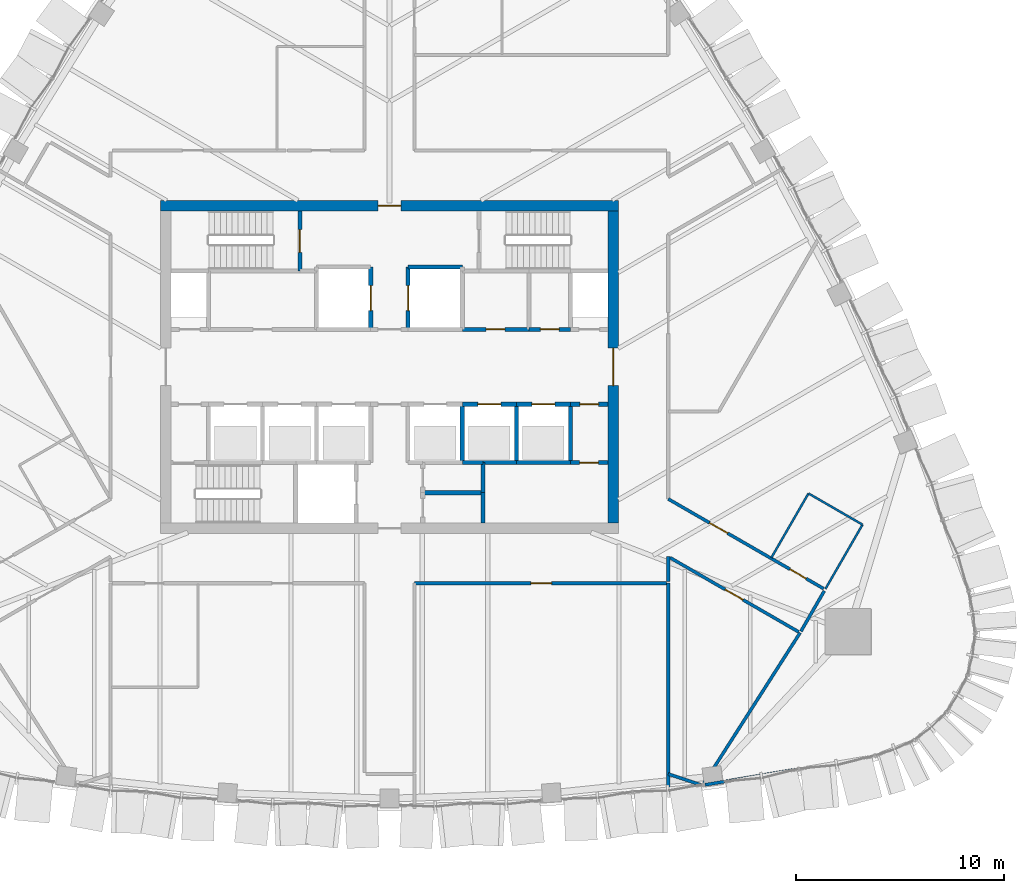
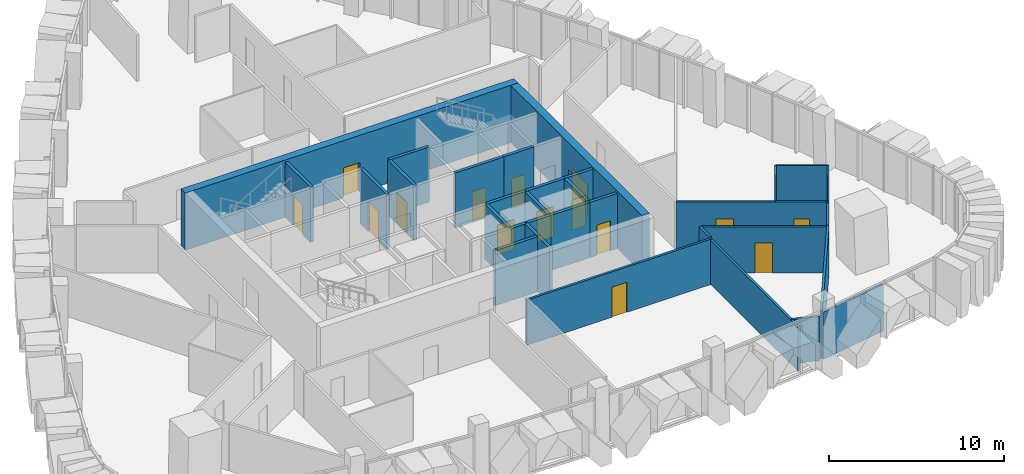
# One storey, part 14 of 20: 33 walls, 15 doors, 15 openings.
"""IFC4 building model written with IfcOpenShell, lengths in metres."""

from ifc_helpers import new_model, si_unit, direction, frame, frame_2d, origin, place, context, subcontext, project, spatial, rectangle, extrude, material, layer, layer_set, type_object, element, fill, save


model = new_model("IFC4")

# Units and contexts
model_context = context("Model", 3, precision=1e-05, world=origin(), true_north=direction((0.0, 1.0)))
body_context = subcontext(model_context, "Body", "Model", "MODEL_VIEW")
ifc_project = project(units=[si_unit("LENGTHUNIT", "METRE"), si_unit("AREAUNIT", "SQUARE_METRE"), si_unit("VOLUMEUNIT", "CUBIC_METRE"), si_unit("PLANEANGLEUNIT", "RADIAN"), si_unit("MASSUNIT", "GRAM", prefix="KILO")], contexts=[model_context])

# Site, building, storey
site_placement = place(None, origin())
site = spatial("IfcSite", under=ifc_project, at=site_placement, CompositionType="ELEMENT")
building_placement = place(site_placement, origin())
building = spatial("IfcBuilding", under=site, at=building_placement, Name="Sierra Prisma Convention Tower", CompositionType="ELEMENT")
storey_placement = place(building_placement, frame((0.0, 0.0, 239.0)))
storey = spatial("IfcBuildingStorey", under=building, at=storey_placement, Name="L53", CompositionType="ELEMENT", Elevation=239.0)

# Walls
ifc_material_1 = material(Name="Gypsum board partition", Category="gypsum")
ifc_layer_1 = layer(ifc_material_1, 0.10009765625)
ifc_layer_set_1 = layer_set([ifc_layer_1], Name="Bathroom partition 100")
wall_type_1 = type_object("IfcWallType", Name="Bathroom partition 100", PredefinedType="PARTITIONING", material=ifc_layer_set_1)
wall_1_placement = place(storey_placement, frame((18.35400390625, -9.176513671875, 0.0), z_axis=(0.0, 0.0, 1.0), x_axis=(0.500022371132, 0.86601248742, 0.0)))
element("IfcWall", 1, at=wall_1_placement, inside=storey, type_object=wall_type_1, Name="Partition L53 bath 9", PredefinedType="PARTITIONING", context=body_context, shape_type="SweptSolid", body=[
    extrude(rectangle(XDim=3.570068359375, YDim=0.10009765625, at=frame_2d((1.78515625, 0.0))), origin(), (0.0, 0.0, 1.0), 3.300048828125),
])
wall_2_placement = place(storey_placement, frame((20.13916015625, -6.084716796875, 0.0), z_axis=(0.0, 0.0, 1.0), x_axis=(0.866010750942, -0.50002537861, 0.0)))
element("IfcWall", 2, at=wall_2_placement, inside=storey, type_object=wall_type_1, Name="Partition L53 bath 10", PredefinedType="PARTITIONING", context=body_context, shape_type="SweptSolid", body=[
    extrude(rectangle(XDim=2.999755859375, YDim=0.10009765625, at=frame_2d((1.5, 0.0))), origin(), (0.0, 0.0, 1.0), 3.300048828125),
])
wall_3_placement = place(storey_placement, frame((22.737060546875, -7.584716796875, 0.0), z_axis=(0.0, 0.0, 1.0), x_axis=(-0.499971082179, -0.866042098853, 0.0)))
element("IfcWall", 3, at=wall_3_placement, inside=storey, type_object=wall_type_1, Name="Partition L53 bath 11", PredefinedType="PARTITIONING", context=body_context, shape_type="SweptSolid", body=[
    extrude(rectangle(XDim=3.570068359375, YDim=0.10009765625, at=frame_2d((1.78515625, 0.0))), origin(), (0.0, 0.0, 1.0), 3.300048828125),
])

# Wall, opening, door
ifc_material_2 = material(Name="Concrete C30/37", Category="concrete")
ifc_layer_2 = layer(ifc_material_2, 0.199951171875)
ifc_layer_set_2 = layer_set([ifc_layer_2], Name="Core wall RC 200 C30/37")
wall_type_2 = type_object("IfcWallType", Name="Core wall RC 200 C30/37", PredefinedType="SOLIDWALL", material=ifc_layer_set_2)
wall_4_placement = place(storey_placement, frame((-4.300048828125, 4.60009765625, 0.0), z_axis=(0.0, 0.0, 1.0), x_axis=(0.0, 1.0, 0.0)))
wall_4 = element("IfcWall", 4, at=wall_4_placement, inside=storey, type_object=wall_type_2, Name="Core wall L53 17", PredefinedType="SOLIDWALL", context=body_context, shape_type="SweptSolid", body=[
    extrude(rectangle(XDim=2.89990234375, YDim=0.199951171875, at=frame_2d((1.449951171875, 0.0))), origin(), (0.0, 0.0, 1.0), 3.85009765625),
])
opening_1_placement = place(wall_4_placement, frame((0.89990234375, 0.0, 0.0)))
opening_1 = element("IfcOpeningElement", 5, at=opening_1_placement, cuts=wall_4, Name="Opening L53-D016", PredefinedType="OPENING", context=body_context, shape_type="SweptSolid", body=[
    extrude(rectangle(XDim=1.10009765625, YDim=2.10009765625, at=frame_2d((0.550048828125, 1.050048828125))), frame((0.0, 0.10009765625, 0.0), z_axis=(0.0, -1.0, 0.0), x_axis=(1.0, 0.0, 0.0)), (0.0, 0.0, 1.0), 0.199951171875),
])
ifc_material_3 = material(Name="Steel fire door leaf", Category="steel")
door_type_1 = type_object("IfcDoorType", Name="Door 1100x2100 FD90S", OperationType="SINGLE_SWING_LEFT", PredefinedType="DOOR", material=ifc_material_3)
door_1_placement = place(opening_1_placement, origin())
door_1 = element("IfcDoor", 6, at=door_1_placement, inside=storey, type_object=door_type_1, Name="Door L53 32", OperationType="SINGLE_SWING_RIGHT", OverallHeight=2.10009765625, OverallWidth=1.10009765625, PredefinedType="DOOR", context=body_context, shape_type="SweptSolid", body=[
    extrude(rectangle(XDim=1.10009765625, YDim=2.10009765625, at=frame_2d((0.550048828125, 1.050048828125))), frame((0.0, 0.02490234375, 0.0), z_axis=(0.0, -1.0, 0.0), x_axis=(1.0, 0.0, 0.0)), (0.0, 0.0, 1.0), 0.050048828125),
])
fill(opening_1, door_1)

wall_5_placement = place(storey_placement, frame((-0.89990234375, 1.800048828125, 0.0), z_axis=(0.0, 0.0, 1.0), x_axis=(0.0, 1.0, 0.0)))
wall_5 = element("IfcWall", 7, at=wall_5_placement, inside=storey, type_object=wall_type_2, Name="Core wall L53 23", PredefinedType="SOLIDWALL", context=body_context, shape_type="SweptSolid", body=[
    extrude(rectangle(XDim=3.0, YDim=0.199951171875, at=frame_2d((1.5, 0.0))), origin(), (0.0, 0.0, 1.0), 3.85009765625),
])
opening_2_placement = place(wall_5_placement, frame((0.89990234375, 0.0, 0.0)))
opening_2 = element("IfcOpeningElement", 8, at=opening_2_placement, cuts=wall_5, Name="Opening L53-D007", PredefinedType="OPENING", context=body_context, shape_type="SweptSolid", body=[
    extrude(rectangle(XDim=1.199951171875, YDim=2.10009765625, at=frame_2d((0.60009765625, 1.050048828125))), frame((0.0, 0.10009765625, 0.0), z_axis=(0.0, -1.0, 0.0), x_axis=(1.0, 0.0, 0.0)), (0.0, 0.0, 1.0), 0.199951171875),
])
ifc_material_4 = material(Name="Steel fire door leaf", Category="steel")
door_type_2 = type_object("IfcDoorType", Name="Door 1200x2100 EI 90 sliding lift landing", OperationType="SLIDING_TO_LEFT", PredefinedType="DOOR", material=ifc_material_4)
door_2_placement = place(opening_2_placement, origin())
door_2 = element("IfcDoor", 9, at=door_2_placement, inside=storey, type_object=door_type_2, Name="Door L53 23", OperationType="SLIDING_TO_RIGHT", OverallHeight=2.10009765625, OverallWidth=1.199951171875, PredefinedType="DOOR", context=body_context, shape_type="SweptSolid", body=[
    extrude(rectangle(XDim=1.199951171875, YDim=2.10009765625, at=frame_2d((0.60009765625, 1.050048828125))), frame((0.0, 0.02490234375, 0.0), z_axis=(0.0, -1.0, 0.0), x_axis=(1.0, 0.0, 0.0)), (0.0, 0.0, 1.0), 0.050048828125),
])
fill(opening_2, door_2)

# Wall
wall_6_placement = place(storey_placement, frame((3.5, 4.800048828125, 0.0), z_axis=(0.0, 0.0, 1.0), x_axis=(-1.0, 0.0, 0.0)))
element("IfcWall", 10, at=wall_6_placement, inside=storey, type_object=wall_type_2, Name="Core wall L53 36", PredefinedType="SOLIDWALL", context=body_context, shape_type="SweptSolid", body=[
    extrude(rectangle(XDim=2.60009765625, YDim=0.199951171875, at=frame_2d((1.300048828125, 0.0))), origin(), (0.0, 0.0, 1.0), 3.85009765625),
])

# Wall, opening, door
wall_7_placement = place(storey_placement, frame((0.89990234375, 4.800048828125, 0.0), z_axis=(0.0, 0.0, 1.0), x_axis=(0.0, -1.0, 0.0)))
wall_7 = element("IfcWall", 11, at=wall_7_placement, inside=storey, type_object=wall_type_2, Name="Core wall L53 37", PredefinedType="SOLIDWALL", context=body_context, shape_type="SweptSolid", body=[
    extrude(rectangle(XDim=3.0, YDim=0.199951171875, at=frame_2d((1.5, 0.0))), origin(), (0.0, 0.0, 1.0), 3.85009765625),
])
opening_3_placement = place(wall_7_placement, frame((0.89990234375, 0.0, 0.0)))
opening_3 = element("IfcOpeningElement", 12, at=opening_3_placement, cuts=wall_7, Name="Opening L53-D008", PredefinedType="OPENING", context=body_context, shape_type="SweptSolid", body=[
    extrude(rectangle(XDim=1.199951171875, YDim=2.10009765625, at=frame_2d((0.60009765625, 1.050048828125))), frame((0.0, 0.10009765625, 0.0), z_axis=(0.0, -1.0, 0.0), x_axis=(1.0, 0.0, 0.0)), (0.0, 0.0, 1.0), 0.199951171875),
])
door_3_placement = place(opening_3_placement, origin())
door_3 = element("IfcDoor", 13, at=door_3_placement, inside=storey, type_object=door_type_2, Name="Door L53 24", OperationType="SLIDING_TO_LEFT", OverallHeight=2.10009765625, OverallWidth=1.199951171875, PredefinedType="DOOR", context=body_context, shape_type="SweptSolid", body=[
    extrude(rectangle(XDim=1.199951171875, YDim=2.10009765625, at=frame_2d((0.60009765625, 1.050048828125))), frame((0.0, 0.02490234375, 0.0), z_axis=(0.0, -1.0, 0.0), x_axis=(1.0, 0.0, 0.0)), (0.0, 0.0, 1.0), 0.050048828125),
])
fill(opening_3, door_3)

# Walls
wall_8_placement = place(storey_placement, frame((4.5, -6.050048828125, 0.0), z_axis=(0.0, 0.0, 1.0), x_axis=(-1.0, 0.0, 0.0)))
element("IfcWall", 14, at=wall_8_placement, inside=storey, type_object=wall_type_2, Name="Core wall L53 39", PredefinedType="SOLIDWALL", context=body_context, shape_type="SweptSolid", body=[
    extrude(rectangle(XDim=2.89990234375, YDim=0.199951171875, at=frame_2d((1.449951171875, 0.0))), origin(), (0.0, 0.0, 1.0), 3.85009765625),
])
wall_9_placement = place(storey_placement, frame((4.5, -4.60009765625, 0.0), z_axis=(0.0, 0.0, 1.0), x_axis=(-1.0, 0.0, 0.0)))
element("IfcWall", 15, at=wall_9_placement, inside=storey, type_object=wall_type_2, Name="Core wall L53 42", PredefinedType="SOLIDWALL", context=body_context, shape_type="SweptSolid", body=[
    extrude(rectangle(XDim=1.0, YDim=0.199951171875, at=frame_2d((0.5, 0.0))), origin(), (0.0, 0.0, 1.0), 3.85009765625),
])
wall_10_placement = place(storey_placement, frame((3.5, -4.60009765625, 0.0), z_axis=(0.0, 0.0, 1.0), x_axis=(0.0, 1.0, 0.0)))
element("IfcWall", 16, at=wall_10_placement, inside=storey, type_object=wall_type_2, Name="Core wall L53 43", PredefinedType="SOLIDWALL", context=body_context, shape_type="SweptSolid", body=[
    extrude(rectangle(XDim=2.800048828125, YDim=0.199951171875, at=frame_2d((1.39990234375, 0.0))), origin(), (0.0, 0.0, 1.0), 3.85009765625),
])

# Wall, opening, door
wall_11_placement = place(storey_placement, frame((3.5, -1.800048828125, 0.0), z_axis=(0.0, 0.0, 1.0), x_axis=(1.0, 0.0, 0.0)))
wall_11 = element("IfcWall", 17, at=wall_11_placement, inside=storey, type_object=wall_type_2, Name="Core wall L53 44", PredefinedType="SOLIDWALL", context=body_context, shape_type="SweptSolid", body=[
    extrude(rectangle(XDim=2.60009765625, YDim=0.199951171875, at=frame_2d((1.300048828125, 0.0))), origin(), (0.0, 0.0, 1.0), 3.85009765625),
])
opening_4_placement = place(wall_11_placement, frame((0.75, 0.0, 0.0)))
opening_4 = element("IfcOpeningElement", 18, at=opening_4_placement, cuts=wall_11, Name="Opening L53-D005", PredefinedType="OPENING", context=body_context, shape_type="SweptSolid", body=[
    extrude(rectangle(XDim=1.10009765625, YDim=2.10009765625, at=frame_2d((0.550048828125, 1.050048828125))), frame((0.0, 0.10009765625, 0.0), z_axis=(0.0, -1.0, 0.0), x_axis=(1.0, 0.0, 0.0)), (0.0, 0.0, 1.0), 0.199951171875),
])
ifc_material_5 = material(Name="Steel fire door leaf", Category="steel")
door_type_3 = type_object("IfcDoorType", Name="Door 1100x2100 EI 90 sliding lift landing", OperationType="SLIDING_TO_LEFT", PredefinedType="DOOR", material=ifc_material_5)
door_4_placement = place(opening_4_placement, origin())
door_4 = element("IfcDoor", 19, at=door_4_placement, inside=storey, type_object=door_type_3, Name="Door L53 21", OperationType="SLIDING_TO_LEFT", OverallHeight=2.10009765625, OverallWidth=1.10009765625, PredefinedType="DOOR", context=body_context, shape_type="SweptSolid", body=[
    extrude(rectangle(XDim=1.10009765625, YDim=2.10009765625, at=frame_2d((0.550048828125, 1.050048828125))), frame((0.0, 0.02490234375, 0.0), z_axis=(0.0, -1.0, 0.0), x_axis=(1.0, 0.0, 0.0)), (0.0, 0.0, 1.0), 0.050048828125),
])
fill(opening_4, door_4)

wall_12_placement = place(storey_placement, frame((3.5, 1.800048828125, 0.0), z_axis=(0.0, 0.0, 1.0), x_axis=(1.0, 0.0, 0.0)))
wall_12 = element("IfcWall", 20, at=wall_12_placement, inside=storey, type_object=wall_type_2, Name="Core wall L53 45", PredefinedType="SOLIDWALL", context=body_context, shape_type="SweptSolid", body=[
    extrude(rectangle(XDim=3.199951171875, YDim=0.199951171875, at=frame_2d((1.60009765625, 0.0))), origin(), (0.0, 0.0, 1.0), 3.85009765625),
])
opening_5_placement = place(wall_12_placement, frame((1.14990234375, 0.0, 0.0)))
opening_5 = element("IfcOpeningElement", 21, at=opening_5_placement, cuts=wall_12, Name="Opening L53-D018", PredefinedType="OPENING", context=body_context, shape_type="SweptSolid", body=[
    extrude(rectangle(XDim=0.89990234375, YDim=2.10009765625, at=frame_2d((0.449951171875, 1.050048828125))), frame((0.0, 0.10009765625, 0.0), z_axis=(0.0, -1.0, 0.0), x_axis=(1.0, 0.0, 0.0)), (0.0, 0.0, 1.0), 0.199951171875),
])
ifc_material_6 = material(Name="Steel fire door leaf", Category="steel")
door_type_4 = type_object("IfcDoorType", Name="Door 900x2100 FD30S", OperationType="SINGLE_SWING_LEFT", PredefinedType="DOOR", material=ifc_material_6)
door_5_placement = place(opening_5_placement, origin())
door_5 = element("IfcDoor", 22, at=door_5_placement, inside=storey, type_object=door_type_4, Name="Door L53 34", OperationType="SINGLE_SWING_LEFT", OverallHeight=2.10009765625, OverallWidth=0.89990234375, PredefinedType="DOOR", context=body_context, shape_type="SweptSolid", body=[
    extrude(rectangle(XDim=0.89990234375, YDim=2.10009765625, at=frame_2d((0.449951171875, 1.050048828125))), frame((0.0, 0.02490234375, 0.0), z_axis=(0.0, -1.0, 0.0), x_axis=(1.0, 0.0, 0.0)), (0.0, 0.0, 1.0), 0.050048828125),
])
fill(opening_5, door_5)

# Walls
for number, where, z_axis, x_axis, name in (
    (23, (4.5, -6.050048828125, 0.0), (0.0, 0.0, 1.0), (0.0, -1.0, 0.0), "Core wall L53 50"),
    (24, (4.5, -4.60009765625, 0.0), (0.0, 0.0, 1.0), (0.0, -1.0, 0.0), "Core wall L53 51"),
):
    element("IfcWall", number, at=place(storey_placement, frame(where, z_axis=z_axis, x_axis=x_axis)), inside=storey, type_object=wall_type_2, Name=name, PredefinedType="SOLIDWALL", context=body_context, shape_type="SweptSolid", body=[
        extrude(rectangle(XDim=1.449951171875, YDim=0.199951171875, at=frame_2d((0.72509765625, 0.0))), origin(), (0.0, 0.0, 1.0), 3.85009765625),
    ])
wall_13_placement = place(storey_placement, frame((6.10009765625, -4.60009765625, 0.0), z_axis=(0.0, 0.0, 1.0), x_axis=(-1.0, 0.0, 0.0)))
element("IfcWall", 25, at=wall_13_placement, inside=storey, type_object=wall_type_2, Name="Core wall L53 52", PredefinedType="SOLIDWALL", context=body_context, shape_type="SweptSolid", body=[
    extrude(rectangle(XDim=1.60009765625, YDim=0.199951171875, at=frame_2d((0.800048828125, 0.0))), origin(), (0.0, 0.0, 1.0), 3.85009765625),
])
wall_14_placement = place(storey_placement, frame((8.699951171875, -4.60009765625, 0.0), z_axis=(0.0, 0.0, 1.0), x_axis=(-1.0, 0.0, 0.0)))
element("IfcWall", 26, at=wall_14_placement, inside=storey, type_object=wall_type_2, Name="Core wall L53 53", PredefinedType="SOLIDWALL", context=body_context, shape_type="SweptSolid", body=[
    extrude(rectangle(XDim=2.599853515625, YDim=0.199951171875, at=frame_2d((1.2998046875, 0.0))), origin(), (0.0, 0.0, 1.0), 3.85009765625),
])
wall_15_placement = place(storey_placement, frame((6.10009765625, -4.60009765625, 0.0), z_axis=(0.0, 0.0, 1.0), x_axis=(0.0, 1.0, 0.0)))
element("IfcWall", 27, at=wall_15_placement, inside=storey, type_object=wall_type_2, Name="Core wall L53 54", PredefinedType="SOLIDWALL", context=body_context, shape_type="SweptSolid", body=[
    extrude(rectangle(XDim=2.800048828125, YDim=0.199951171875, at=frame_2d((1.39990234375, 0.0))), origin(), (0.0, 0.0, 1.0), 3.85009765625),
])

# Wall, opening, door
wall_16_placement = place(storey_placement, frame((6.10009765625, -1.800048828125, 0.0), z_axis=(0.0, 0.0, 1.0), x_axis=(1.0, 0.0, 0.0)))
wall_16 = element("IfcWall", 28, at=wall_16_placement, inside=storey, type_object=wall_type_2, Name="Core wall L53 55", PredefinedType="SOLIDWALL", context=body_context, shape_type="SweptSolid", body=[
    extrude(rectangle(XDim=2.599853515625, YDim=0.199951171875, at=frame_2d((1.2998046875, 0.0))), origin(), (0.0, 0.0, 1.0), 3.85009765625),
])
opening_6_placement = place(wall_16_placement, frame((0.75, 0.0, 0.0)))
opening_6 = element("IfcOpeningElement", 29, at=opening_6_placement, cuts=wall_16, Name="Opening L53-D006", PredefinedType="OPENING", context=body_context, shape_type="SweptSolid", body=[
    extrude(rectangle(XDim=1.10009765625, YDim=2.10009765625, at=frame_2d((0.550048828125, 1.050048828125))), frame((0.0, 0.10009765625, 0.0), z_axis=(0.0, -1.0, 0.0), x_axis=(1.0, 0.0, 0.0)), (0.0, 0.0, 1.0), 0.199951171875),
])
door_6_placement = place(opening_6_placement, origin())
door_6 = element("IfcDoor", 30, at=door_6_placement, inside=storey, type_object=door_type_3, Name="Door L53 22", OperationType="SLIDING_TO_RIGHT", OverallHeight=2.10009765625, OverallWidth=1.10009765625, PredefinedType="DOOR", context=body_context, shape_type="SweptSolid", body=[
    extrude(rectangle(XDim=1.10009765625, YDim=2.10009765625, at=frame_2d((0.550048828125, 1.050048828125))), frame((0.0, 0.02490234375, 0.0), z_axis=(0.0, -1.0, 0.0), x_axis=(1.0, 0.0, 0.0)), (0.0, 0.0, 1.0), 0.050048828125),
])
fill(opening_6, door_6)

wall_17_placement = place(storey_placement, frame((6.699951171875, 1.800048828125, 0.0), z_axis=(0.0, 0.0, 1.0), x_axis=(1.0, 0.0, 0.0)))
wall_17 = element("IfcWall", 31, at=wall_17_placement, inside=storey, type_object=wall_type_2, Name="Core wall L53 56", PredefinedType="SOLIDWALL", context=body_context, shape_type="SweptSolid", body=[
    extrude(rectangle(XDim=2.0, YDim=0.199951171875, at=frame_2d((1.0, 0.0))), origin(), (0.0, 0.0, 1.0), 3.85009765625),
])
opening_7_placement = place(wall_17_placement, frame((0.550048828125, 0.0, 0.0)))
opening_7 = element("IfcOpeningElement", 32, at=opening_7_placement, cuts=wall_17, Name="Opening L53-D019", PredefinedType="OPENING", context=body_context, shape_type="SweptSolid", body=[
    extrude(rectangle(XDim=0.89990234375, YDim=2.10009765625, at=frame_2d((0.449951171875, 1.050048828125))), frame((0.0, 0.10009765625, 0.0), z_axis=(0.0, -1.0, 0.0), x_axis=(1.0, 0.0, 0.0)), (0.0, 0.0, 1.0), 0.199951171875),
])
door_7_placement = place(opening_7_placement, origin())
door_7 = element("IfcDoor", 33, at=door_7_placement, inside=storey, type_object=door_type_4, Name="Door L53 35", OperationType="SINGLE_SWING_LEFT", OverallHeight=2.10009765625, OverallWidth=0.89990234375, PredefinedType="DOOR", context=body_context, shape_type="SweptSolid", body=[
    extrude(rectangle(XDim=0.89990234375, YDim=2.10009765625, at=frame_2d((0.449951171875, 1.050048828125))), frame((0.0, 0.02490234375, 0.0), z_axis=(0.0, -1.0, 0.0), x_axis=(1.0, 0.0, 0.0)), (0.0, 0.0, 1.0), 0.050048828125),
])
fill(opening_7, door_7)

wall_18_placement = place(storey_placement, frame((10.5, -4.60009765625, 0.0), z_axis=(0.0, 0.0, 1.0), x_axis=(-1.0, 0.0, 0.0)))
wall_18 = element("IfcWall", 34, at=wall_18_placement, inside=storey, type_object=wall_type_2, Name="Core wall L53 59", PredefinedType="SOLIDWALL", context=body_context, shape_type="SweptSolid", body=[
    extrude(rectangle(XDim=1.800048828125, YDim=0.199951171875, at=frame_2d((0.89990234375, 0.0))), origin(), (0.0, 0.0, 1.0), 3.85009765625),
])
opening_8_placement = place(wall_18_placement, frame((0.4599609375, 0.0, 0.0)))
opening_8 = element("IfcOpeningElement", 35, at=opening_8_placement, cuts=wall_18, Name="Opening L53-D021", PredefinedType="OPENING", context=body_context, shape_type="SweptSolid", body=[
    extrude(rectangle(XDim=0.89990234375, YDim=2.10009765625, at=frame_2d((0.449951171875, 1.050048828125))), frame((0.0, 0.10009765625, 0.0), z_axis=(0.0, -1.0, 0.0), x_axis=(1.0, 0.0, 0.0)), (0.0, 0.0, 1.0), 0.199951171875),
])
door_8_placement = place(opening_8_placement, origin())
door_8 = element("IfcDoor", 36, at=door_8_placement, inside=storey, type_object=door_type_4, Name="Door L53 37", OperationType="SINGLE_SWING_LEFT", OverallHeight=2.10009765625, OverallWidth=0.89990234375, PredefinedType="DOOR", context=body_context, shape_type="SweptSolid", body=[
    extrude(rectangle(XDim=0.89990234375, YDim=2.10009765625, at=frame_2d((0.449951171875, 1.050048828125))), frame((0.0, 0.02490234375, 0.0), z_axis=(0.0, -1.0, 0.0), x_axis=(1.0, 0.0, 0.0)), (0.0, 0.0, 1.0), 0.050048828125),
])
fill(opening_8, door_8)

# Wall
wall_19_placement = place(storey_placement, frame((8.699951171875, -1.800048828125, 0.0), z_axis=(0.0, 0.0, 1.0), x_axis=(0.0, -1.0, 0.0)))
element("IfcWall", 37, at=wall_19_placement, inside=storey, type_object=wall_type_2, Name="Core wall L53 60", PredefinedType="SOLIDWALL", context=body_context, shape_type="SweptSolid", body=[
    extrude(rectangle(XDim=2.800048828125, YDim=0.199951171875, at=frame_2d((1.39990234375, 0.0))), origin(), (0.0, 0.0, 1.0), 3.85009765625),
])

# Wall, opening, door
wall_20_placement = place(storey_placement, frame((8.699951171875, -1.800048828125, 0.0), z_axis=(0.0, 0.0, 1.0), x_axis=(1.0, 0.0, 0.0)))
wall_20 = element("IfcWall", 38, at=wall_20_placement, inside=storey, type_object=wall_type_2, Name="Core wall L53 61", PredefinedType="SOLIDWALL", context=body_context, shape_type="SweptSolid", body=[
    extrude(rectangle(XDim=1.800048828125, YDim=0.199951171875, at=frame_2d((0.89990234375, 0.0))), origin(), (0.0, 0.0, 1.0), 3.85009765625),
])
opening_9_placement = place(wall_20_placement, frame((0.449951171875, 0.0, 0.0)))
opening_9 = element("IfcOpeningElement", 39, at=opening_9_placement, cuts=wall_20, Name="Opening L53-D022", PredefinedType="OPENING", context=body_context, shape_type="SweptSolid", body=[
    extrude(rectangle(XDim=0.89990234375, YDim=2.10009765625, at=frame_2d((0.449951171875, 1.050048828125))), frame((0.0, 0.10009765625, 0.0), z_axis=(0.0, -1.0, 0.0), x_axis=(1.0, 0.0, 0.0)), (0.0, 0.0, 1.0), 0.199951171875),
])
door_9_placement = place(opening_9_placement, origin())
door_9 = element("IfcDoor", 40, at=door_9_placement, inside=storey, type_object=door_type_4, Name="Door L53 38", OperationType="SINGLE_SWING_LEFT", OverallHeight=2.10009765625, OverallWidth=0.89990234375, PredefinedType="DOOR", context=body_context, shape_type="SweptSolid", body=[
    extrude(rectangle(XDim=0.89990234375, YDim=2.10009765625, at=frame_2d((0.449951171875, 1.050048828125))), frame((0.0, 0.02490234375, 0.0), z_axis=(0.0, -1.0, 0.0), x_axis=(1.0, 0.0, 0.0)), (0.0, 0.0, 1.0), 0.050048828125),
])
fill(opening_9, door_9)

ifc_material_7 = material(Name="Concrete C50/60", Category="concrete")
ifc_layer_3 = layer(ifc_material_7, 0.5)
ifc_layer_set_3 = layer_set([ifc_layer_3], Name="Core wall RC 500 C50/60")
wall_type_3 = type_object("IfcWallType", Name="Core wall RC 500 C50/60", PredefinedType="SHEAR", material=ifc_layer_set_3)
wall_21_placement = place(storey_placement, frame((-11.0, 7.75, 0.0), z_axis=(0.0, 0.0, 1.0), x_axis=(1.0, 0.0, 0.0)))
wall_21 = element("IfcWall", 41, at=wall_21_placement, inside=storey, type_object=wall_type_3, Name="Core wall N L53", PredefinedType="SHEAR", context=body_context, shape_type="SweptSolid", body=[
    extrude(rectangle(XDim=22.0, YDim=0.5, at=frame_2d((11.0, 0.0))), origin(), (0.0, 0.0, 1.0), 4.0),
])
opening_10_placement = place(wall_21_placement, frame((10.449951171875, 0.0, 0.0)))
opening_10 = element("IfcOpeningElement", 42, at=opening_10_placement, cuts=wall_21, Name="Opening L53-D042", PredefinedType="OPENING", context=body_context, shape_type="SweptSolid", body=[
    extrude(rectangle(XDim=1.10009765625, YDim=2.10009765625, at=frame_2d((0.550048828125, 1.050048828125))), frame((0.0, 0.25, 0.0), z_axis=(0.0, -1.0, 0.0), x_axis=(1.0, 0.0, 0.0)), (0.0, 0.0, 1.0), 0.5),
])
ifc_material_8 = material(Name="Steel fire door leaf", Category="steel")
door_type_5 = type_object("IfcDoorType", Name="Door 1100x2100 FD60S", OperationType="SINGLE_SWING_LEFT", PredefinedType="DOOR", material=ifc_material_8)
door_10_placement = place(opening_10_placement, origin())
door_10 = element("IfcDoor", 43, at=door_10_placement, inside=storey, type_object=door_type_5, Name="Door L53 43", OperationType="SINGLE_SWING_RIGHT", OverallHeight=2.10009765625, OverallWidth=1.10009765625, PredefinedType="DOOR", context=body_context, shape_type="SweptSolid", body=[
    extrude(rectangle(XDim=1.10009765625, YDim=2.10009765625, at=frame_2d((0.550048828125, 1.050048828125))), frame((0.0, 0.02490234375, 0.0), z_axis=(0.0, -1.0, 0.0), x_axis=(1.0, 0.0, 0.0)), (0.0, 0.0, 1.0), 0.050048828125),
])
fill(opening_10, door_10)

wall_22_placement = place(storey_placement, frame((10.75, -7.5, 0.0), z_axis=(0.0, 0.0, 1.0), x_axis=(0.0, 1.0, 0.0)))
wall_22 = element("IfcWall", 44, at=wall_22_placement, inside=storey, type_object=wall_type_3, Name="Core wall E L53", PredefinedType="SHEAR", context=body_context, shape_type="SweptSolid", body=[
    extrude(rectangle(XDim=15.0, YDim=0.5, at=frame_2d((7.5, 0.0))), origin(), (0.0, 0.0, 1.0), 4.0),
])
opening_11_placement = place(wall_22_placement, frame((6.60009765625, 0.0, 0.0)))
opening_11 = element("IfcOpeningElement", 45, at=opening_11_placement, cuts=wall_22, Name="Opening L53-D041", PredefinedType="OPENING", context=body_context, shape_type="SweptSolid", body=[
    extrude(rectangle(XDim=1.800048828125, YDim=2.10009765625, at=frame_2d((0.89990234375, 1.050048828125))), frame((0.0, 0.25, 0.0), z_axis=(0.0, -1.0, 0.0), x_axis=(1.0, 0.0, 0.0)), (0.0, 0.0, 1.0), 0.5),
])
ifc_material_9 = material(Name="Steel fire door leaf", Category="steel")
door_type_6 = type_object("IfcDoorType", Name="Door 1800x2100 FD60S", OperationType="DOUBLE_DOOR_SINGLE_SWING", PredefinedType="DOOR", material=ifc_material_9)
door_11_placement = place(opening_11_placement, origin())
door_11 = element("IfcDoor", 46, at=door_11_placement, inside=storey, type_object=door_type_6, Name="Door L53 42", OperationType="DOUBLE_DOOR_SINGLE_SWING", OverallHeight=2.10009765625, OverallWidth=1.800048828125, PredefinedType="DOOR", context=body_context, shape_type="SweptSolid", body=[
    extrude(rectangle(XDim=1.800048828125, YDim=2.10009765625, at=frame_2d((0.89990234375, 1.050048828125))), frame((0.0, 0.02490234375, 0.0), z_axis=(0.0, -1.0, 0.0), x_axis=(1.0, 0.0, 0.0)), (0.0, 0.0, 1.0), 0.050048828125),
])
fill(opening_11, door_11)

ifc_material_10 = material(Name="Gypsum board partition", Category="gypsum")
ifc_layer_4 = layer(ifc_material_10, 0.14990234375)
ifc_layer_set_4 = layer_set([ifc_layer_4], Name="Corridor wall 150 gypsum EI 60")
wall_type_4 = type_object("IfcWallType", Name="Corridor wall 150 gypsum EI 60", PredefinedType="PARTITIONING", material=ifc_layer_set_4)
wall_23_placement = place(storey_placement, frame((1.199951171875, -10.39990234375, 0.0), z_axis=(0.0, 0.0, 1.0), x_axis=(1.0, 0.0, 0.0)))
wall_23 = element("IfcWall", 47, at=wall_23_placement, inside=storey, type_object=wall_type_4, Name="Partition L53 corr 18", PredefinedType="PARTITIONING", context=body_context, shape_type="SweptSolid", body=[
    extrude(rectangle(XDim=12.1201171875, YDim=0.14990234375, at=frame_2d((6.06005859375, 0.0))), origin(), (0.0, 0.0, 1.0), 3.1669921875),
])
opening_12_placement = place(wall_23_placement, frame((5.60009765625, 0.0, 0.0)))
opening_12 = element("IfcOpeningElement", 48, at=opening_12_placement, cuts=wall_23, Name="Opening L53-D037", PredefinedType="OPENING", context=body_context, shape_type="SweptSolid", body=[
    extrude(rectangle(XDim=1.0, YDim=2.10009765625, at=frame_2d((0.5, 1.050048828125))), frame((0.0, 0.074951171875, 0.0), z_axis=(0.0, -1.0, 0.0), x_axis=(1.0, 0.0, 0.0)), (0.0, 0.0, 1.0), 0.14990234375),
])
ifc_material_11 = material(Name="Steel fire door leaf", Category="steel")
door_type_7 = type_object("IfcDoorType", Name="Door 1000x2100 FD30S", OperationType="SINGLE_SWING_LEFT", PredefinedType="DOOR", material=ifc_material_11)
door_12_placement = place(opening_12_placement, origin())
door_12 = element("IfcDoor", 49, at=door_12_placement, inside=storey, type_object=door_type_7, Name="Door L53 13", OperationType="SINGLE_SWING_LEFT", OverallHeight=2.10009765625, OverallWidth=1.0, PredefinedType="DOOR", context=body_context, shape_type="SweptSolid", body=[
    extrude(rectangle(XDim=1.0, YDim=2.10009765625, at=frame_2d((0.5, 1.050048828125))), frame((0.0, 0.02490234375, 0.0), z_axis=(0.0, -1.0, 0.0), x_axis=(1.0, 0.0, 0.0)), (0.0, 0.0, 1.0), 0.050048828125),
])
fill(opening_12, door_12)

# Wall
wall_24_placement = place(storey_placement, frame((13.39990234375, -10.320068359375, 0.0), z_axis=(0.0, 0.0, 1.0), x_axis=(0.0, 1.0, 0.0)))
element("IfcWall", 50, at=wall_24_placement, inside=storey, type_object=wall_type_4, Name="Partition L53 corr 21", PredefinedType="PARTITIONING", context=body_context, shape_type="SweptSolid", body=[
    extrude(rectangle(XDim=1.197998046875, YDim=0.14990234375, at=frame_2d((0.59912109375, 0.0))), origin(), (0.0, 0.0, 1.0), 3.23291015625),
])

# Wall, opening, door
wall_25_placement = place(storey_placement, frame((13.479248046875, -9.16796875, 0.0), z_axis=(0.0, 0.0, 1.0), x_axis=(0.866029131345, -0.49999354362, 0.0)))
wall_25 = element("IfcWall", 51, at=wall_25_placement, inside=storey, type_object=wall_type_4, Name="Partition L53 corr 22", PredefinedType="PARTITIONING", context=body_context, shape_type="SweptSolid", body=[
    extrude(rectangle(XDim=7.14599609375, YDim=0.14990234375, at=frame_2d((3.572998046875, 0.0))), origin(), (0.0, 0.0, 1.0), 3.23291015625),
])
opening_13_placement = place(wall_25_placement, frame((3.067138671875, 0.0, 0.0)))
opening_13 = element("IfcOpeningElement", 52, at=opening_13_placement, cuts=wall_25, Name="Opening L53-D038", PredefinedType="OPENING", context=body_context, shape_type="SweptSolid", body=[
    extrude(rectangle(XDim=1.0, YDim=2.10009765625, at=frame_2d((0.5, 1.050048828125))), frame((0.0, 0.074951171875, 0.0), z_axis=(0.0, -1.0, 0.0), x_axis=(1.0, 0.0, 0.0)), (0.0, 0.0, 1.0), 0.14990234375),
])
door_13_placement = place(opening_13_placement, origin())
door_13 = element("IfcDoor", 53, at=door_13_placement, inside=storey, type_object=door_type_7, Name="Door L53 14", OperationType="SINGLE_SWING_LEFT", OverallHeight=2.10009765625, OverallWidth=1.0, PredefinedType="DOOR", context=body_context, shape_type="SweptSolid", body=[
    extrude(rectangle(XDim=1.0, YDim=2.10009765625, at=frame_2d((0.5, 1.050048828125))), frame((0.0, 0.02490234375, 0.0), z_axis=(0.0, -1.0, 0.0), x_axis=(1.0, 0.0, 0.0)), (0.0, 0.0, 1.0), 0.050048828125),
])
fill(opening_13, door_13)

# Wall, openings, doors
wall_26_placement = place(storey_placement, frame((20.867919921875, -10.662353515625, 0.0), z_axis=(0.0, 0.0, 1.0), x_axis=(-0.866032359495, 0.499987952162, 0.0)))
wall_26 = element("IfcWall", 54, at=wall_26_placement, inside=storey, type_object=wall_type_4, Name="Partition L53 corr 26", PredefinedType="PARTITIONING", context=body_context, shape_type="SweptSolid", body=[
    extrude(rectangle(XDim=8.623291015625, YDim=0.14990234375, at=frame_2d((4.3115234375, 0.0))), origin(), (0.0, 0.0, 1.0), 3.300048828125),
])
opening_14_placement = place(wall_26_placement, frame((0.969970703125, 0.0, 0.0)))
opening_14 = element("IfcOpeningElement", 55, at=opening_14_placement, cuts=wall_26, Name="Opening L53-D039", PredefinedType="OPENING", context=body_context, shape_type="SweptSolid", body=[
    extrude(rectangle(XDim=0.89990234375, YDim=2.10009765625, at=frame_2d((0.449951171875, 1.050048828125))), frame((0.0, 0.074951171875, 0.0), z_axis=(0.0, -1.0, 0.0), x_axis=(1.0, 0.0, 0.0)), (0.0, 0.0, 1.0), 0.14990234375),
])
opening_15_placement = place(wall_26_placement, frame((5.321533203125, 0.0, 0.0)))
opening_15 = element("IfcOpeningElement", 56, at=opening_15_placement, cuts=wall_26, Name="Opening L53-D040", PredefinedType="OPENING", context=body_context, shape_type="SweptSolid", body=[
    extrude(rectangle(XDim=1.0, YDim=2.10009765625, at=frame_2d((0.5, 1.050048828125))), frame((0.0, 0.074951171875, 0.0), z_axis=(0.0, -1.0, 0.0), x_axis=(1.0, 0.0, 0.0)), (0.0, 0.0, 1.0), 0.14990234375),
])
door_14_placement = place(opening_15_placement, origin())
door_14 = element("IfcDoor", 57, at=door_14_placement, inside=storey, type_object=door_type_7, Name="Door L53 16", OperationType="SINGLE_SWING_LEFT", OverallHeight=2.10009765625, OverallWidth=1.0, PredefinedType="DOOR", context=body_context, shape_type="SweptSolid", body=[
    extrude(rectangle(XDim=1.0, YDim=2.10009765625, at=frame_2d((0.5, 1.050048828125))), frame((0.0, 0.02490234375, 0.0), z_axis=(0.0, -1.0, 0.0), x_axis=(1.0, 0.0, 0.0)), (0.0, 0.0, 1.0), 0.050048828125),
])
fill(opening_15, door_14)
door_15_placement = place(opening_14_placement, origin())
door_15 = element("IfcDoor", 58, at=door_15_placement, inside=storey, type_object=door_type_4, Name="Door L53 15", OperationType="SINGLE_SWING_LEFT", OverallHeight=2.10009765625, OverallWidth=0.89990234375, PredefinedType="DOOR", context=body_context, shape_type="SweptSolid", body=[
    extrude(rectangle(XDim=0.89990234375, YDim=2.10009765625, at=frame_2d((0.449951171875, 1.050048828125))), frame((0.0, 0.02490234375, 0.0), z_axis=(0.0, -1.0, 0.0), x_axis=(1.0, 0.0, 0.0)), (0.0, 0.0, 1.0), 0.050048828125),
])
fill(opening_14, door_15)

# Walls
wall_27_placement = place(storey_placement, frame((19.777099609375, -12.711669921875, 0.0), z_axis=(0.0, 0.0, 1.0), x_axis=(0.500030632641, 0.866007717299, 0.0)))
element("IfcWall", 59, at=wall_27_placement, inside=storey, type_object=wall_type_4, Name="Partition L53 corr 29", PredefinedType="PARTITIONING", context=body_context, shape_type="SweptSolid", body=[
    extrude(rectangle(XDim=2.239990234375, YDim=0.14990234375, at=frame_2d((1.1201171875, 0.0))), origin(), (0.0, 0.0, 1.0), 3.23291015625),
])
ifc_material_12 = material(Name="Gypsum board partition", Category="gypsum")
ifc_layer_5 = layer(ifc_material_12, 0.14990234375)
ifc_layer_set_5 = layer_set([ifc_layer_5], Name="Party wall 150 gypsum")
wall_type_5 = type_object("IfcWallType", Name="Party wall 150 gypsum", PredefinedType="PARTITIONING", material=ifc_layer_set_5)
wall_28_placement = place(storey_placement, frame((13.39990234375, -10.39990234375, 0.0), z_axis=(0.0, 0.0, 1.0), x_axis=(0.0, -1.0, 0.0)))
element("IfcWall", 60, at=wall_28_placement, inside=storey, type_object=wall_type_5, Name="Partition L53 party 11", PredefinedType="PARTITIONING", context=body_context, shape_type="SweptSolid", body=[
    extrude(rectangle(XDim=10.044677734375, YDim=0.14990234375, at=frame_2d((5.0224609375, 0.0))), origin(), (0.0, 0.0, 1.0), 3.083984375),
])
wall_29_placement = place(storey_placement, frame((13.39990234375, -19.5712890625, 0.0), z_axis=(0.0, 0.0, 1.0), x_axis=(0.949797873729, -0.312864186286, 0.0)))
element("IfcWall", 61, at=wall_29_placement, inside=storey, type_object=wall_type_5, Name="Partition L53 party 12", PredefinedType="PARTITIONING", context=body_context, shape_type="SweptSolid", body=[
    extrude(rectangle(XDim=1.65576171875, YDim=0.14990234375, at=frame_2d((0.827880859375, 0.0))), origin(), (0.0, 0.0, 1.0), 3.083984375),
])
wall_30_placement = place(storey_placement, frame((15.172607421875, -20.08935546875, 0.0), z_axis=(0.0, 0.0, 1.0), x_axis=(0.986019050289, 0.166632627261, 0.0)))
element("IfcWall", 62, at=wall_30_placement, inside=storey, type_object=wall_type_5, Name="Partition L53 party 15", PredefinedType="PARTITIONING", context=body_context, shape_type="SweptSolid", body=[
    extrude(rectangle(XDim=4.4658203125, YDim=0.14990234375, at=frame_2d((2.23291015625, 0.0))), origin(), (0.0, 0.0, 1.0), 3.300048828125),
])
wall_31_placement = place(storey_placement, frame((19.737060546875, -12.781005859375, 0.0), z_axis=(0.0, 0.0, 1.0), x_axis=(-0.538422993962, -0.842674717535, 0.0)))
element("IfcWall", 63, at=wall_31_placement, inside=storey, type_object=wall_type_5, Name="Partition L53 party 16", PredefinedType="PARTITIONING", context=body_context, shape_type="SweptSolid", body=[
    extrude(rectangle(XDim=8.570068359375, YDim=0.14990234375, at=frame_2d((4.28515625, 0.0))), origin(), (0.0, 0.0, 1.0), 3.300048828125),
])

save(model, "model.ifc")
